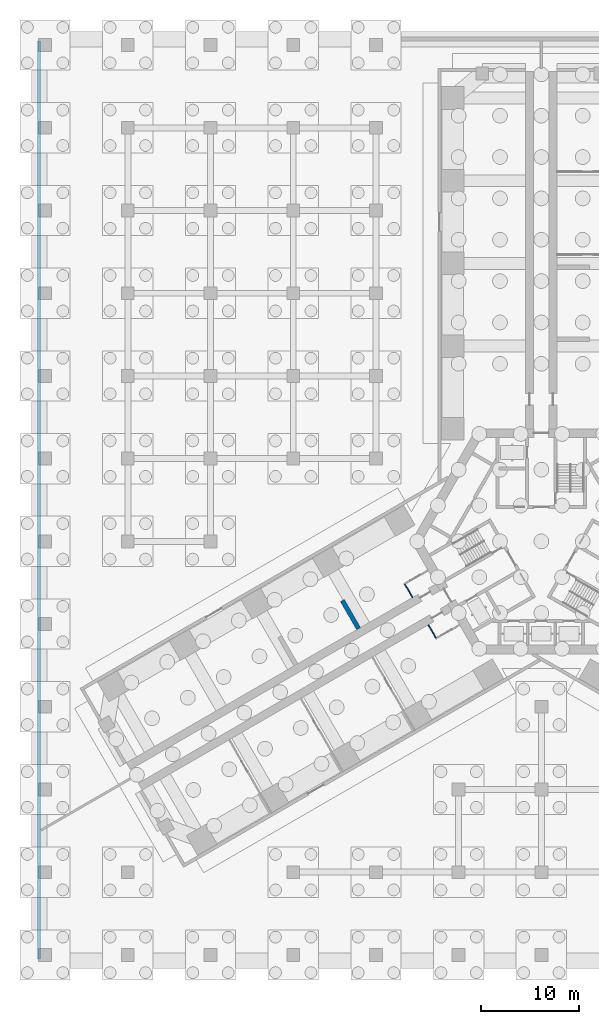
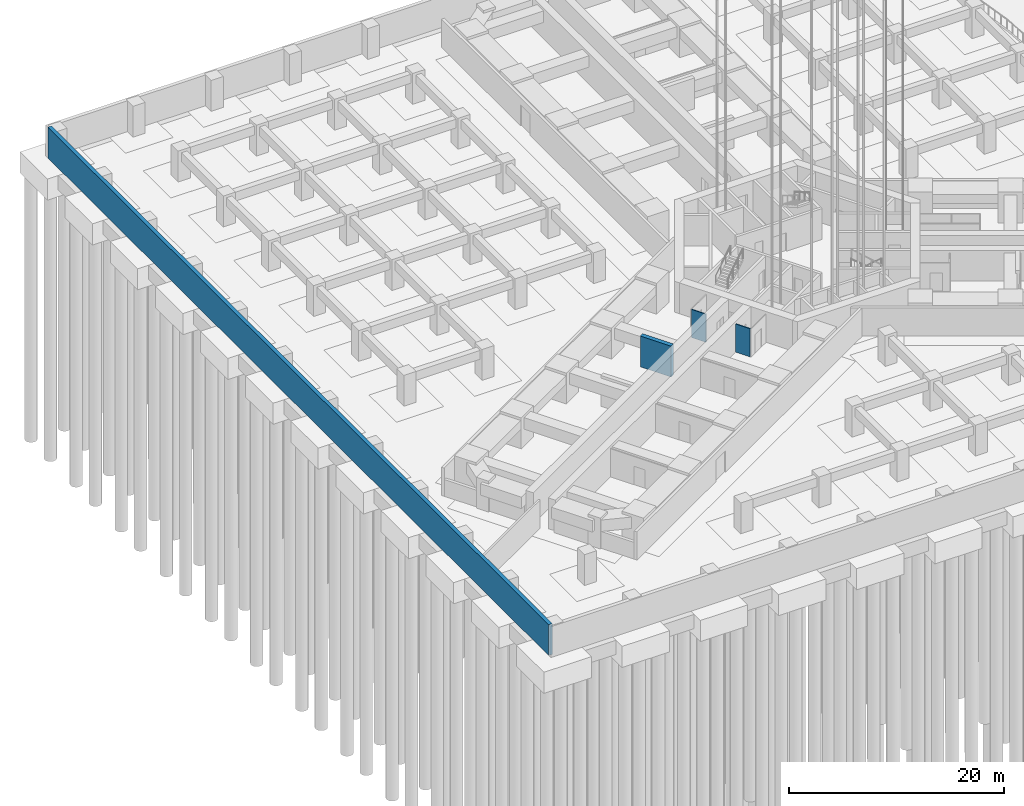
# One storey, part 54 of 73: 4 walls.
"""IFC4 building model written with IfcOpenShell, lengths in metres."""

from ifc_helpers import new_model, si_unit, direction, frame, frame_2d, origin, place, context, subcontext, project, spatial, rectangle, extrude, material, layer, layer_set, type_object, element, save


model = new_model("IFC4")

# Units and contexts
model_context = context("Model", 3, precision=1e-05, world=origin(), true_north=direction((0.0, 1.0)))
body_context = subcontext(model_context, "Body", "Model", "MODEL_VIEW")
ifc_project = project(units=[si_unit("LENGTHUNIT", "METRE"), si_unit("AREAUNIT", "SQUARE_METRE"), si_unit("VOLUMEUNIT", "CUBIC_METRE"), si_unit("PLANEANGLEUNIT", "RADIAN"), si_unit("MASSUNIT", "GRAM", prefix="KILO")], contexts=[model_context])

# Site, building, storey
site_placement = place(None, origin())
site = spatial("IfcSite", under=ifc_project, at=site_placement, CompositionType="ELEMENT")
building_placement = place(site_placement, origin())
building = spatial("IfcBuilding", under=site, at=building_placement, Name="Impinga Residences", CompositionType="ELEMENT")
storey_placement = place(building_placement, frame((0.0, 0.0, -10.5)))
storey = spatial("IfcBuildingStorey", under=building, at=storey_placement, Name="B3", CompositionType="ELEMENT", Elevation=-10.5)

# Walls
ifc_material_1 = material(Name="Concrete blockwork", Category="masonry")
ifc_layer_1 = layer(ifc_material_1, 0.10009765625)
ifc_layer_set_1 = layer_set([ifc_layer_1], Name="CP1 core room partition, blockwork 100")
wall_type_1 = type_object("IfcWallType", Name="CP1 core room partition, blockwork 100", PredefinedType="PARTITIONING", material=ifc_layer_set_1)
wall_1_placement = place(storey_placement, frame((-11.481689453125, -8.476318359375, 0.0), z_axis=(0.0, 0.0, 1.0), x_axis=(0.500017819788, -0.86601511528, 0.0)))
element("IfcWall", 1, at=wall_1_placement, inside=storey, type_object=wall_type_1, Name="Core room partition, blockwork B3-WA1:L2", PredefinedType="PARTITIONING", context=body_context, shape_type="SweptSolid", body=[
    extrude(rectangle(XDim=1.55029296875, YDim=0.10009765625, at=frame_2d((0.775146484375, 0.0))), origin(), (0.0, 0.0, 1.0), 3.199951171875),
])
wall_2_placement = place(storey_placement, frame((-13.08154296875, -5.705078125, 0.0), z_axis=(0.0, 0.0, 1.0), x_axis=(-0.500086022567, 0.865975732936, 0.0)))
element("IfcWall", 2, at=wall_2_placement, inside=storey, type_object=wall_type_1, Name="Core room partition, blockwork B3-WF1:L2", PredefinedType="PARTITIONING", context=body_context, shape_type="SweptSolid", body=[
    extrude(rectangle(XDim=1.550048828125, YDim=0.10009765625, at=frame_2d((0.77490234375, 0.0))), origin(), (0.0, 0.0, 1.0), 3.199951171875),
])
ifc_material_2 = material(Name="Concrete C60/75", Category="concrete")
ifc_layer_2 = layer(ifc_material_2, 0.39990234375)
ifc_layer_set_2 = layer_set([ifc_layer_2], Name="Concrete C60/75")
wall_type_2 = type_object("IfcWallType", Name="RW1 basement retaining wall 400", PredefinedType="USERDEFINED", material=ifc_layer_set_2)
wall_3_placement = place(storey_placement, frame((-51.0, -42.39990234375, 0.0), z_axis=(0.0, 0.0, 1.0), x_axis=(0.0, 1.0, 0.0)))
element("IfcWall", 3, at=wall_3_placement, inside=storey, type_object=wall_type_2, Name="Retaining wall RW1 W B3", ObjectType="RETAINING WALL", PredefinedType="USERDEFINED", context=body_context, shape_type="SweptSolid", body=[
    extrude(rectangle(XDim=93.199951171875, YDim=0.39990234375, at=frame_2d((46.60009765625, 0.0))), origin(), (0.0, 0.0, 1.0), 3.5),
])
ifc_layer_3 = layer(ifc_material_2, 0.449951171875)
ifc_layer_set_3 = layer_set([ifc_layer_3], Name="Concrete C60/75")
wall_type_3 = type_object("IfcWallType", Name="SE3 wing stair end wall carried down to the raft, basements 450", PredefinedType="SOLIDWALL", material=ifc_layer_set_3)
wall_4_placement = place(storey_placement, frame((-18.55908203125, -8.86767578125, 0.0), z_axis=(0.0, 0.0, 1.0), x_axis=(-0.50002983664, 0.866008176907, 0.0)))
element("IfcWall", 4, at=wall_4_placement, inside=storey, type_object=wall_type_3, Name="Stair enclosure wall SE3 W END0 B3", PredefinedType="SOLIDWALL", context=body_context, shape_type="SweptSolid", body=[
    extrude(rectangle(XDim=3.300048828125, YDim=0.449951171875, at=frame_2d((1.64990234375, 0.0))), origin(), (0.0, 0.0, 1.0), 3.5),
])

save(model, "model.ifc")
